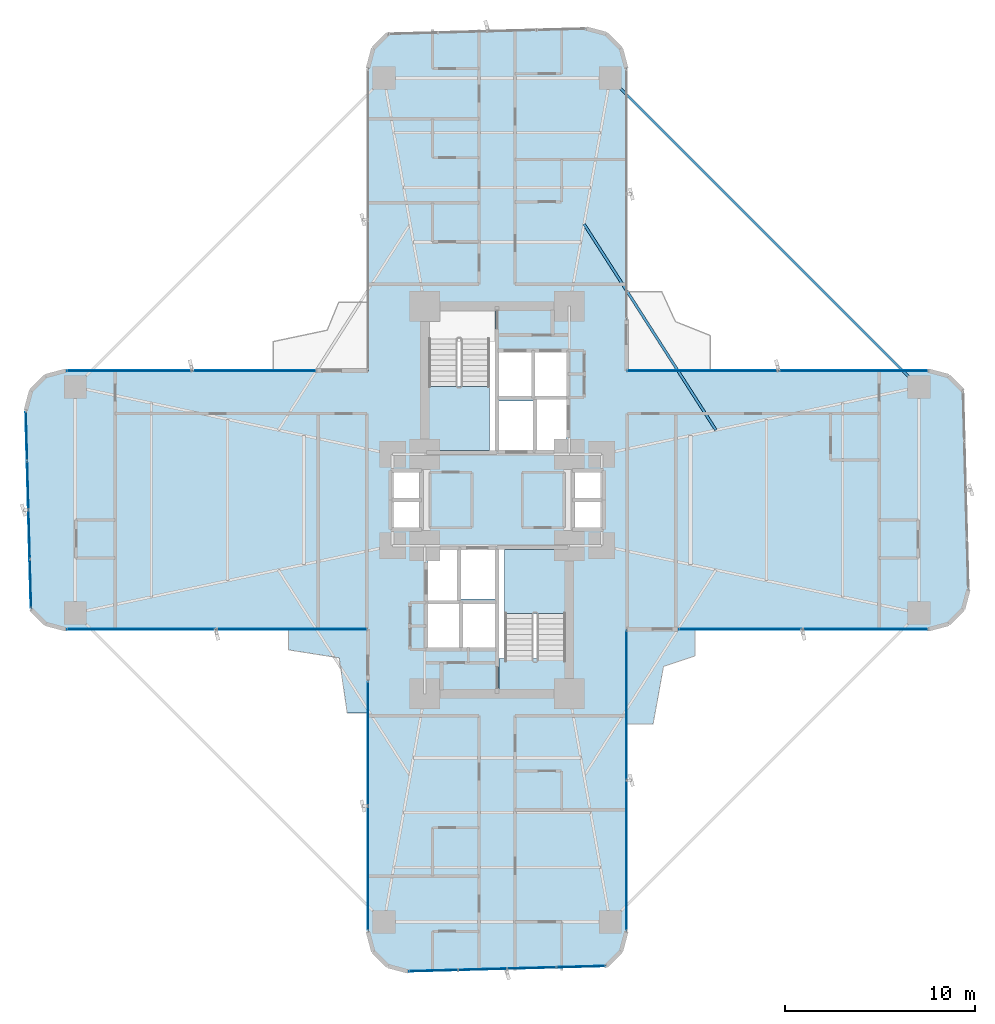
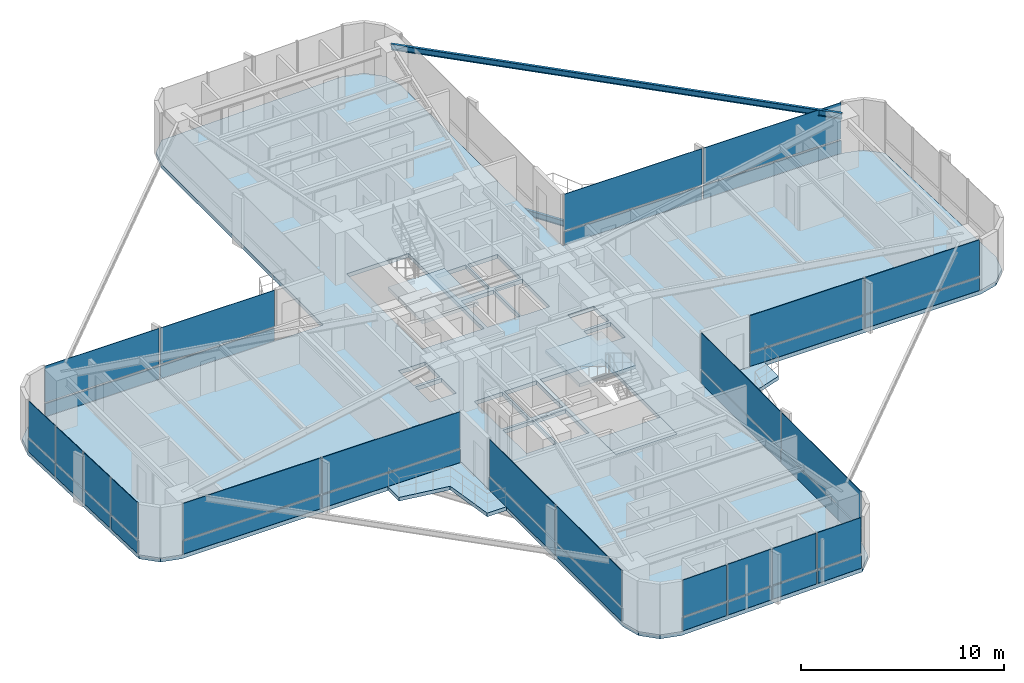
# One storey, part 20 of 26: 40 plates, 6 slabs, 2 beams, 10 elements without a shape of their own.
"""IFC4 building model written with IfcOpenShell, lengths in metres."""

import ifcopenshell
import ifcopenshell.guid

model = None  # the IFC model being written
_history = None  # IfcOwnerHistory: only IFC2X3 demands one
_inside = {}  # id of a spatial element -> (the spatial element, [elements in it])
_under = {}  # id of a project, library or spatial element -> (it, [spatial elements below it])
_declared = {}  # id of a project -> (the project, [libraries it declares])
_typed = {}  # id of a type object -> (the type object, [elements of that type])
_made_of = {}  # id of a material, layer set ... -> (it, [elements and type objects made of it])


def new_model(schema):
    """Start an empty IFC model of exactly this schema.

    Asked for "IFC4X3", IfcOpenShell would pick the latest addendum, in which some entities
    have other attributes; the version numbers below select the first issue.
    IFC2X3 requires an IfcOwnerHistory on every rooted entity: one is made here for all.
    """
    global model, _history
    if schema == "IFC4X3":
        model = ifcopenshell.file(schema_version=(4, 3, 0, 0))
    else:
        model = ifcopenshell.file(schema=schema)
    _inside.clear()
    _under.clear()
    _declared.clear()
    _typed.clear()
    _made_of.clear()
    _history = None
    if model.schema == "IFC2X3":
        org = make("IfcOrganization", Name="unknown")
        user = make(
            "IfcPersonAndOrganization",
            ThePerson=make("IfcPerson", FamilyName="unknown"),
            TheOrganization=org,
        )
        app = make(
            "IfcApplication",
            ApplicationDeveloper=org,
            Version="unknown",
            ApplicationFullName="unknown",
            ApplicationIdentifier="unknown",
        )
        _history = make(
            "IfcOwnerHistory",
            OwningUser=user,
            OwningApplication=app,
            ChangeAction="ADDED",
            CreationDate=0,
        )
    return model


def make(cls, **values):
    """One entity of the class cls with the attributes given. An attribute that is None is left unset."""
    return model.create_entity(
        cls, **{name: value for name, value in values.items() if value is not None}
    )


def rooted(cls, **values):
    """An entity with a GlobalId (a new one), such as an element, a storey or a relation."""
    return make(cls, GlobalId=ifcopenshell.guid.new(), OwnerHistory=_history, **values)


def si_unit(unit_type, name, prefix=None):
    """IfcSIUnit, for example si_unit("LENGTHUNIT", "METRE", prefix="MILLI")."""
    return make("IfcSIUnit", UnitType=unit_type, Prefix=prefix, Name=name)


def assignment(units):
    """IfcUnitAssignment: the units of a project."""
    return None if units is None else make("IfcUnitAssignment", Units=units)


def point(xyz):
    """IfcCartesianPoint."""
    return None if xyz is None else make("IfcCartesianPoint", Coordinates=xyz)


def direction(xyz):
    """IfcDirection."""
    return None if xyz is None else make("IfcDirection", DirectionRatios=xyz)


def frame(location, z_axis=None, x_axis=None):
    """IfcAxis2Placement3D, a coordinate frame: its origin and axes. An axis left out is left unset."""
    return make(
        "IfcAxis2Placement3D",
        Location=point(location),
        Axis=direction(z_axis),
        RefDirection=direction(x_axis),
    )


def frame_2d(location, x_axis=None):
    """IfcAxis2Placement2D, a coordinate frame in the plane: its origin and x axis."""
    return make(
        "IfcAxis2Placement2D", Location=point(location), RefDirection=direction(x_axis)
    )


def origin():
    """The frame at (0, 0, 0) with its axes left unset."""
    return frame((0.0, 0.0, 0.0))


def origin_2d():
    """The frame at (0, 0) in the plane with its x axis left unset."""
    return frame_2d((0.0, 0.0))


def place(relative_to, where):
    """IfcLocalPlacement: puts the frame where relative to a parent placement (None: the world)."""
    return make(
        "IfcLocalPlacement", PlacementRelTo=relative_to, RelativePlacement=where
    )


def context(
    kind, dimensions, precision=None, world=None, true_north=None, identifier=None
):
    """IfcGeometricRepresentationContext, for example the 3D "Model" context."""
    return make(
        "IfcGeometricRepresentationContext",
        ContextIdentifier=identifier,
        ContextType=kind,
        CoordinateSpaceDimension=dimensions,
        Precision=precision,
        WorldCoordinateSystem=world,
        TrueNorth=true_north,
    )


def subcontext(parent, identifier, kind, view, scale=None):
    """IfcGeometricRepresentationSubContext, for example "Body" below "Model"."""
    return make(
        "IfcGeometricRepresentationSubContext",
        ContextIdentifier=identifier,
        ContextType=kind,
        ParentContext=parent,
        TargetScale=scale,
        TargetView=view,
    )


def project(units=None, contexts=None):
    """IfcProject with its units and contexts."""
    return rooted(
        "IfcProject",
        Name="project",
        RepresentationContexts=contexts,
        UnitsInContext=assignment(units),
    )


def spatial(cls, under=None, at=None, **own):
    """A site, building, storey or space (cls), placed at a placement, below another one or the project."""
    s = rooted(cls, ObjectPlacement=at, **own)
    if under is not None:
        _under.setdefault(under.id(), (under, []))[1].append(s)
    return s


def polyline(points):
    """IfcPolyline through the points."""
    return make("IfcPolyline", Points=[point(p) for p in points])


def profile(cls, at=None, kind="AREA", **sizes):
    """A parametric profile (cls). Its sizes go by their IFC names, for example OverallWidth=200.0."""
    return make(cls, ProfileType=kind, Position=at, **sizes)


def rectangle(**sizes):
    """IfcRectangleProfileDef."""
    return profile("IfcRectangleProfileDef", **sizes)


def i_section(**sizes):
    """IfcIShapeProfileDef."""
    return profile("IfcIShapeProfileDef", **sizes)


def outline(outer, holes=None, kind="AREA"):
    """IfcArbitraryClosedProfileDef: a profile drawn as a closed curve; with holes, ...WithVoids."""
    if holes is None:
        return make("IfcArbitraryClosedProfileDef", ProfileType=kind, OuterCurve=outer)
    return make(
        "IfcArbitraryProfileDefWithVoids",
        ProfileType=kind,
        OuterCurve=outer,
        InnerCurves=holes,
    )


def extrude(swept, where, along, depth):
    """IfcExtrudedAreaSolid: the profile swept, set in the frame where, extruded along a direction by depth."""
    return make(
        "IfcExtrudedAreaSolid",
        SweptArea=swept,
        Position=where,
        ExtrudedDirection=direction(along),
        Depth=depth,
    )


def shape(context_of_items, identifier, shape_type, items):
    """IfcShapeRepresentation: the items that make up one representation, for example the "Body"."""
    return make(
        "IfcShapeRepresentation",
        ContextOfItems=context_of_items,
        RepresentationIdentifier=identifier,
        RepresentationType=shape_type,
        Items=items,
    )


def source(mapping_origin, context_of_items, identifier, shape_type, items):
    """IfcRepresentationMap: a shape defined once, which mapped items show again and again."""
    return make(
        "IfcRepresentationMap",
        MappingOrigin=mapping_origin,
        MappedRepresentation=shape(context_of_items, identifier, shape_type, items),
    )


def transform(
    local_origin,
    x_axis=None,
    y_axis=None,
    z_axis=None,
    scale=None,
    scale2=None,
    scale3=None,
    uniform=True,
):
    """IfcCartesianTransformationOperator3D, or its non-uniform kind. x_axis, y_axis, z_axis: its Axis1, 2, 3."""
    if uniform:
        return make(
            "IfcCartesianTransformationOperator3D",
            Axis1=direction(x_axis),
            Axis2=direction(y_axis),
            LocalOrigin=point(local_origin),
            Scale=scale,
            Axis3=direction(z_axis),
        )
    return make(
        "IfcCartesianTransformationOperator3DnonUniform",
        Axis1=direction(x_axis),
        Axis2=direction(y_axis),
        LocalOrigin=point(local_origin),
        Scale=scale,
        Axis3=direction(z_axis),
        Scale2=scale2,
        Scale3=scale3,
    )


def mapped(mapping_source, mapping_target):
    """IfcMappedItem: shows the shape of a source again, moved by a transform."""
    return make(
        "IfcMappedItem", MappingSource=mapping_source, MappingTarget=mapping_target
    )


def material(Name=None, Category=None):
    """IfcMaterial."""
    return make("IfcMaterial", Name=Name, Category=Category)


def layer(
    of_material, thickness, ventilated=None, Name=None, Category=None, Priority=None
):
    """IfcMaterialLayer: one layer of a wall or slab, of a material (None: an air gap)."""
    return make(
        "IfcMaterialLayer",
        Material=of_material,
        LayerThickness=thickness,
        IsVentilated=ventilated,
        Name=Name,
        Category=Category,
        Priority=Priority,
    )


def layer_set(layers, Name=None):
    """IfcMaterialLayerSet."""
    return make("IfcMaterialLayerSet", MaterialLayers=layers, LayerSetName=Name)


def material_profile(
    of_material, cross_section, Name=None, Category=None, Priority=None
):
    """IfcMaterialProfile: a cross section and its material."""
    return make(
        "IfcMaterialProfile",
        Name=Name,
        Material=of_material,
        Profile=cross_section,
        Priority=Priority,
        Category=Category,
    )


def profile_set(profiles, Name=None, composite=None):
    """IfcMaterialProfileSet."""
    return make(
        "IfcMaterialProfileSet",
        Name=Name,
        MaterialProfiles=profiles,
        CompositeProfile=composite,
    )


def made_of(thing, what):
    """Note that an element or type object is made of a material, layer set ...; save() writes the relation."""
    if what is not None:
        _made_of.setdefault(what.id(), (what, []))[1].append(thing)
    return thing


def type_object(cls, material=None, **own):
    """A type object (cls), such as IfcWallType, which elements share."""
    return made_of(rooted(cls, **own), material)


def element(
    cls,
    number,
    at=None,
    inside=None,
    cuts=None,
    type_object=None,
    material=None,
    context=None,
    identifier="Body",
    shape_type=None,
    held_by="IfcProductDefinitionShape",
    body=None,
    shapes=None,
    **own,
):
    """One element of the class cls, such as IfcWall. Its Tag is "e" and its number.

    at: its placement. inside: the storey or other place that contains it. cuts: it is an
    opening in that element (IfcRelVoidsElement). A single representation is given by context,
    identifier, shape_type and body (its items); several are given by shapes. held_by: the class
    of the entity that holds the representations. save() writes the other relations.
    """
    e = rooted(cls, Tag="e%d" % number, ObjectPlacement=at, **own)
    if body is not None:
        shapes = [shape(context, identifier, shape_type, body)]
    if shapes is not None:
        e.Representation = make(held_by, Representations=shapes)
    if inside is not None:
        _inside.setdefault(inside.id(), (inside, []))[1].append(e)
    if cuts is not None:
        rooted(
            "IfcRelVoidsElement", RelatingBuildingElement=cuts, RelatedOpeningElement=e
        )
    if type_object is not None:
        _typed.setdefault(type_object.id(), (type_object, []))[1].append(e)
    return made_of(e, material)


def aggregate(whole, parts):
    """IfcRelAggregates: a whole, such as a stair, and the parts it consists of."""
    return rooted("IfcRelAggregates", RelatingObject=whole, RelatedObjects=parts)


def save(model, path):
    """Write the relations noted so far, then the file.

    IfcRelAggregates (storeys below a building ...), IfcRelContainedInSpatialStructure (elements
    in a storey), IfcRelDefinesByType, IfcRelAssociatesMaterial and IfcRelDeclares: one each for
    every whole, place, type object, material and project.
    """
    for whole, parts in _under.values():
        aggregate(whole, parts)
    for where, things in _inside.values():
        rooted(
            "IfcRelContainedInSpatialStructure",
            RelatedElements=things,
            RelatingStructure=where,
        )
    for kind, things in _typed.values():
        rooted("IfcRelDefinesByType", RelatedObjects=things, RelatingType=kind)
    for what, things in _made_of.values():
        rooted("IfcRelAssociatesMaterial", RelatedObjects=things, RelatingMaterial=what)
    for by, libraries in _declared.values():
        rooted("IfcRelDeclares", RelatingContext=by, RelatedDefinitions=libraries)
    model.write(path)


model = new_model("IFC4")

# Units and contexts
model_context = context("Model", 3, precision=1e-05, world=origin(), true_north=direction((0.0, 1.0)))
body_context = subcontext(model_context, "Body", "Model", "MODEL_VIEW")
ifc_project = project(units=[si_unit("LENGTHUNIT", "METRE"), si_unit("AREAUNIT", "SQUARE_METRE"), si_unit("VOLUMEUNIT", "CUBIC_METRE"), si_unit("PLANEANGLEUNIT", "RADIAN"), si_unit("MASSUNIT", "GRAM", prefix="KILO")], contexts=[model_context])

# Site, building, storey
site_placement = place(None, origin())
site = spatial("IfcSite", under=ifc_project, at=site_placement, CompositionType="ELEMENT")
building_placement = place(site_placement, origin())
building = spatial("IfcBuilding", under=site, at=building_placement, Name="Sahyath Konkavel Grand Hotel", CompositionType="ELEMENT")
storey_placement = place(building_placement, frame((0.0, 0.0, 61.10009765625)))
storey = spatial("IfcBuildingStorey", under=building, at=storey_placement, Name="L16", CompositionType="ELEMENT", Elevation=61.10009765625)

# Beams
ifc_material_1 = material(Name="Steel E350", Category="steel")
ifc_material_profile_1 = material_profile(ifc_material_1, i_section(OverallWidth=0.139892578125, OverallDepth=0.35009765625, WebThickness=0.008056640625, FlangeThickness=0.01416015625, FilletRadius=0.013916015625, at=origin_2d()), Name="ISMB 350")
ifc_profile_set_1 = profile_set([ifc_material_profile_1], Name="Steel E350")
beam_type_1 = type_object("IfcBeamType", Name="BM-ISMB350", PredefinedType="BEAM", material=ifc_profile_set_1)
shared_shape_1 = source(origin(), body_context, "Body", "SweptSolid", [
    extrude(i_section(OverallWidth=0.139892578125, OverallDepth=0.35009765625, WebThickness=0.008056640625, FlangeThickness=0.01416015625, FilletRadius=0.013916015625, at=origin_2d()), origin(), (0.0, 0.0, 1.0), 22.98095703125),
])
beam_1_placement = place(storey_placement, frame((22.199951171875, 5.949951171875, 2.934814453125), z_axis=(-0.707106781187, 0.707106781187, 0.0), x_axis=(-0.707106781187, -0.707106781187, 0.0)))
element("IfcBeam", 1, at=beam_1_placement, inside=storey, type_object=beam_type_1, Name="L16 Re-Entrant Tie Beam NE", PredefinedType="BEAM", context=body_context, shape_type="MappedRepresentation", body=[
    mapped(shared_shape_1, transform((0.0, 0.0, 0.0), scale=1.0)),
])
ifc_material_profile_2 = material_profile(ifc_material_1, i_section(OverallWidth=0.139892578125, OverallDepth=0.35009765625, WebThickness=0.008056640625, FlangeThickness=0.01416015625, FilletRadius=0.013916015625, at=origin_2d()), Name="ISMB 350")
ifc_profile_set_2 = profile_set([ifc_material_profile_2], Name="Steel E350")
beam_type_2 = type_object("IfcBeamType", Name="BM-BALC-CANT", PredefinedType="BEAM", material=ifc_profile_set_2)
shared_shape_2 = source(origin(), body_context, "Body", "SweptSolid", [
    extrude(i_section(OverallWidth=0.139892578125, OverallDepth=0.35009765625, WebThickness=0.008056640625, FlangeThickness=0.01416015625, FilletRadius=0.013916015625, at=origin_2d()), origin(), (0.0, 0.0, 1.0), 12.871826171875),
])
beam_2_placement = place(storey_placement, frame((11.511962890625, 3.677978515625, -0.4150390625), z_axis=(-0.539003102535, 0.842303778608, 0.0), x_axis=(-0.842303778608, -0.539003102535, 0.0)))
element("IfcBeam", 2, at=beam_2_placement, inside=storey, type_object=beam_type_2, Name="L16 Balcony Cantilever Support Beam NE", PredefinedType="BEAM", context=body_context, shape_type="MappedRepresentation", body=[
    mapped(shared_shape_2, transform((0.0, 0.0, 0.0), scale=1.0)),
])

# Slabs
ifc_material_2 = material(Name="Concrete C40/50", Category="concrete")
ifc_layer_1 = layer(ifc_material_2, 0.239990234375)
ifc_layer_set_1 = layer_set([ifc_layer_1], Name="Concrete C40/50")
slab_type_1 = type_object("IfcSlabType", Name="SLB-240", PredefinedType="FLOOR", material=ifc_layer_set_1)
slab_1_placement = place(storey_placement, frame((0.0, 0.0, -0.239990234375)))
element("IfcSlab", 3, at=slab_1_placement, inside=storey, type_object=slab_type_1, Name="L16 Structural Floor Slab", PredefinedType="FLOOR", context=body_context, shape_type="SweptSolid", body=[
    extrude(outline(polyline([(6.800048828125, -6.800048828125), (22.699951171875, -6.800048828125), (23.75, -6.518798828125), (24.518798828125, -5.75), (24.800048828125, -4.699951171875), (24.518798828125, 5.75), (23.75, 6.518798828125), (22.699951171875, 6.800048828125), (6.800048828125, 6.800048828125), (6.800048828125, 22.699951171875), (6.518798828125, 23.75), (5.75, 24.518798828125), (4.699951171875, 24.800048828125), (-5.75, 24.518798828125), (-6.518798828125, 23.75), (-6.800048828125, 22.699951171875), (-6.800048828125, 6.800048828125), (-22.699951171875, 6.800048828125), (-23.75, 6.518798828125), (-24.518798828125, 5.75), (-24.800048828125, 4.699951171875), (-24.518798828125, -5.75), (-23.75, -6.518798828125), (-22.699951171875, -6.800048828125), (-6.800048828125, -6.800048828125), (-6.800048828125, -22.699951171875), (-6.518798828125, -23.75), (-5.75, -24.518798828125), (-4.699951171875, -24.800048828125), (5.75, -24.518798828125), (6.518798828125, -23.75), (6.800048828125, -22.699951171875), (6.800048828125, -6.800048828125)]), holes=[polyline([(-3.6201171875, 2.580078125), (-0.10009765625, 2.580078125), (-0.10009765625, 10.02001953125), (-3.6201171875, 10.02001953125), (-3.6201171875, 2.580078125)]), polyline([(0.10009765625, -10.02001953125), (3.6201171875, -10.02001953125), (3.6201171875, -2.580078125), (0.10009765625, -2.580078125), (0.10009765625, -10.02001953125)]), polyline([(0.10009765625, 2.60009765625), (1.949951171875, 2.60009765625), (1.949951171875, 5.199951171875), (0.10009765625, 5.199951171875), (0.10009765625, 2.60009765625)]), polyline([(-1.949951171875, -5.199951171875), (-0.10009765625, -5.199951171875), (-0.10009765625, -2.60009765625), (-1.949951171875, -2.60009765625), (-1.949951171875, -5.199951171875)]), polyline([(2.050048828125, 2.60009765625), (3.64990234375, 2.60009765625), (3.64990234375, 5.300048828125), (2.050048828125, 5.300048828125), (2.050048828125, 2.60009765625)]), polyline([(-3.64990234375, -5.300048828125), (-2.050048828125, -5.300048828125), (-2.050048828125, -2.60009765625), (-3.64990234375, -2.60009765625), (-3.64990234375, -5.300048828125)]), polyline([(0.10009765625, 5.449951171875), (1.85009765625, 5.449951171875), (1.85009765625, 7.75), (0.10009765625, 7.75), (0.10009765625, 5.449951171875)]), polyline([(1.949951171875, 5.449951171875), (3.64990234375, 5.449951171875), (3.64990234375, 7.75), (1.949951171875, 7.75), (1.949951171875, 5.449951171875)]), polyline([(-3.64990234375, -7.75), (-1.949951171875, -7.75), (-1.949951171875, -5.449951171875), (-3.64990234375, -5.449951171875), (-3.64990234375, -7.75)]), polyline([(-1.85009765625, -7.75), (-0.10009765625, -7.75), (-0.10009765625, -5.449951171875), (-1.85009765625, -5.449951171875), (-1.85009765625, -7.75)]), polyline([(4.050048828125, 0.080078125), (5.550048828125, 0.080078125), (5.550048828125, 1.5400390625), (4.050048828125, 1.5400390625), (4.050048828125, 0.080078125)]), polyline([(4.050048828125, -1.5400390625), (5.550048828125, -1.5400390625), (5.550048828125, -0.080078125), (4.050048828125, -0.080078125), (4.050048828125, -1.5400390625)]), polyline([(-5.550048828125, 0.080078125), (-4.050048828125, 0.080078125), (-4.050048828125, 1.5400390625), (-5.550048828125, 1.5400390625), (-5.550048828125, 0.080078125)]), polyline([(-5.550048828125, -1.5400390625), (-4.050048828125, -1.5400390625), (-4.050048828125, -0.080078125), (-5.550048828125, -0.080078125), (-5.550048828125, -1.5400390625)])]), origin(), (0.0, 0.0, 1.0), 0.239990234375),
])
ifc_layer_2 = layer(ifc_material_2, 0.219970703125)
ifc_layer_set_2 = layer_set([ifc_layer_2], Name="Concrete C40/50")
slab_type_2 = type_object("IfcSlabType", Name="SLB-BALCONY-220", PredefinedType="FLOOR", material=ifc_layer_set_2)
slab_2_placement = place(storey_placement, frame((0.0, 0.0, -0.22021484375)))
element("IfcSlab", 4, at=slab_2_placement, inside=storey, type_object=slab_type_2, Name="L16 Winter-Garden Balcony SW", PredefinedType="FLOOR", context=body_context, shape_type="SweptSolid", body=[
    extrude(outline(polyline([(-6.800048828125, -6.800048828125), (-10.97998046875, -6.800048828125), (-10.97998046875, -7.8857421875), (-8.30810546875, -8.30810546875), (-7.8857421875, -11.219970703125), (-6.800048828125, -11.219970703125), (-6.800048828125, -6.800048828125)])), origin(), (0.0, 0.0, 1.0), 0.22021484375),
])
slab_3_placement = place(storey_placement, frame((0.0, 0.0, -0.22021484375)))
element("IfcSlab", 5, at=slab_3_placement, inside=storey, type_object=slab_type_2, Name="L16 Winter-Garden Balcony SE", PredefinedType="FLOOR", context=body_context, shape_type="SweptSolid", body=[
    extrude(outline(polyline([(6.800048828125, -6.800048828125), (6.800048828125, -11.7900390625), (8.20751953125, -11.7900390625), (8.7548828125, -8.7548828125), (10.409912109375, -8.20751953125), (10.409912109375, -6.800048828125), (6.800048828125, -6.800048828125)])), origin(), (0.0, 0.0, 1.0), 0.22021484375),
])

# Stair, slab
stair_type = type_object("IfcStairType", Name="STR-ST16-335", PredefinedType="HALF_TURN_STAIR", material=ifc_material_2)
stair_1_placement = place(storey_placement, origin())
stair_1 = element("IfcStair", 6, at=stair_1_placement, inside=storey, type_object=stair_type, Name="L16 North Core Smokeproof Exit Stair ST-1", PredefinedType="HALF_TURN_STAIR")
ifc_layer_3 = layer(ifc_material_2, 0.199951171875)
ifc_layer_set_3 = layer_set([ifc_layer_3], Name="Concrete C40/50")
slab_type_3 = type_object("IfcSlabType", Name="SLB-STAIR-LND", PredefinedType="LANDING", material=ifc_layer_set_3)
slab_4_placement = place(storey_placement, frame((0.0, 0.0, 1.474853515625)))
slab_4 = element("IfcSlab", 7, at=slab_4_placement, type_object=slab_type_3, Name="ST-1 landing 1", PredefinedType="LANDING", context=body_context, shape_type="SweptSolid", body=[
    extrude(outline(polyline([(-3.60009765625, 5.9599609375), (-3.60009765625, 2.60009765625), (-0.39990234375, 2.60009765625), (-0.39990234375, 5.9599609375), (-3.60009765625, 5.9599609375)])), origin(), (0.0, 0.0, 1.0), 0.199951171875),
])
aggregate(stair_1, [slab_4])

stair_2_placement = place(storey_placement, origin())
stair_2 = element("IfcStair", 8, at=stair_2_placement, inside=storey, type_object=stair_type, Name="L16 South Core Smokeproof Exit Stair ST-2", PredefinedType="HALF_TURN_STAIR")
slab_5_placement = place(storey_placement, frame((0.0, 0.0, 1.474853515625)))
slab_5 = element("IfcSlab", 9, at=slab_5_placement, type_object=slab_type_3, Name="ST-2 landing 1", PredefinedType="LANDING", context=body_context, shape_type="SweptSolid", body=[
    extrude(outline(polyline([(3.60009765625, -5.9599609375), (3.60009765625, -2.60009765625), (0.39990234375, -2.60009765625), (0.39990234375, -5.9599609375), (3.60009765625, -5.9599609375)])), origin(), (0.0, 0.0, 1.0), 0.199951171875),
])
aggregate(stair_2, [slab_5])

# Slab
slab_6_placement = place(storey_placement, frame((0.0, 0.0, -0.2001953125)))
element("IfcSlab", 10, at=slab_6_placement, inside=storey, type_object=slab_type_3, Name="L16 Stair ST-2 Floor Landing Slab", PredefinedType="LANDING", context=body_context, shape_type="SweptSolid", body=[
    extrude(outline(polyline([(0.10009765625, -10.02001953125), (3.6201171875, -10.02001953125), (3.6201171875, -8.35009765625), (0.10009765625, -8.35009765625), (0.10009765625, -10.02001953125)])), origin(), (0.0, 0.0, 1.0), 0.2001953125),
])

# Curtain wall, plates
ifc_material_3 = material(Name="Anodised Bronze Aluminium & Low-E Glazing", Category="aluminium")
curtain_wall_type = type_object("IfcCurtainWallType", Name="CW-ZONE1", PredefinedType="NOTDEFINED", material=ifc_material_3)
curtain_wall_1_placement = place(storey_placement, origin())
curtain_wall_1 = element("IfcCurtainWall", 11, at=curtain_wall_1_placement, inside=storey, type_object=curtain_wall_type, Name="L16 Unitised Curtain Wall F7", PredefinedType="NOTDEFINED")
ifc_material_4 = material(Name="Warm Buff Sandstone Cladding", Category="masonry")
ifc_layer_4 = layer(ifc_material_4, 0.074951171875)
ifc_layer_set_4 = layer_set([ifc_layer_4], Name="Warm Buff Sandstone Cladding")
plate_type_1 = type_object("IfcPlateType", Name="PNL-SPANDREL-STONE", PredefinedType="SHEET", material=ifc_layer_set_4)
shared_shape_3 = source(origin(), body_context, "Body", "SweptSolid", [
    extrude(rectangle(XDim=7.830078125, YDim=0.074951171875, at=origin_2d()), origin(), (0.0, 0.0, 1.0), 0.77001953125),
])
plate_1_placement = place(storey_placement, frame((18.705078125, 6.800048828125, 0.039794921875), z_axis=(0.0, 0.0, 1.0), x_axis=(-1.0, 0.0, 0.0)))
plate_1 = element("IfcPlate", 12, at=plate_1_placement, type_object=plate_type_1, Name="L16 Sandstone Relief Spandrel Panel F7-0", PredefinedType="SHEET", context=body_context, shape_type="MappedRepresentation", body=[
    mapped(shared_shape_3, transform((0.0, 0.0, 0.0), scale=1.0)),
])
plate_2_placement = place(storey_placement, frame((10.794921875, 6.800048828125, 0.039794921875), z_axis=(0.0, 0.0, 1.0), x_axis=(-1.0, 0.0, 0.0)))
plate_2 = element("IfcPlate", 13, at=plate_2_placement, type_object=plate_type_1, Name="L16 Sandstone Relief Spandrel Panel F7-1", PredefinedType="SHEET", context=body_context, shape_type="MappedRepresentation", body=[
    mapped(shared_shape_3, transform((0.0, 0.0, 0.0), scale=1.0)),
])

curtain_wall_2_placement = place(storey_placement, origin())
curtain_wall_2 = element("IfcCurtainWall", 14, at=curtain_wall_2_placement, inside=storey, type_object=curtain_wall_type, Name="L16 Unitised Curtain Wall F23", PredefinedType="NOTDEFINED")
plate_3_placement = place(storey_placement, frame((-18.705078125, -6.800048828125, 0.039794921875), z_axis=(0.0, 0.0, 1.0), x_axis=(1.0, 0.0, 0.0)))
plate_3 = element("IfcPlate", 15, at=plate_3_placement, type_object=plate_type_1, Name="L16 Sandstone Relief Spandrel Panel F23-0", PredefinedType="SHEET", context=body_context, shape_type="MappedRepresentation", body=[
    mapped(shared_shape_3, transform((0.0, 0.0, 0.0), scale=1.0)),
])
plate_4_placement = place(storey_placement, frame((-10.794921875, -6.800048828125, 0.039794921875), z_axis=(0.0, 0.0, 1.0), x_axis=(1.0, 0.0, 0.0)))
plate_4 = element("IfcPlate", 16, at=plate_4_placement, type_object=plate_type_1, Name="L16 Sandstone Relief Spandrel Panel F23-1", PredefinedType="SHEET", context=body_context, shape_type="MappedRepresentation", body=[
    mapped(shared_shape_3, transform((0.0, 0.0, 0.0), scale=1.0)),
])

curtain_wall_3_placement = place(storey_placement, origin())
curtain_wall_3 = element("IfcCurtainWall", 17, at=curtain_wall_3_placement, inside=storey, type_object=curtain_wall_type, Name="L16 Unitised Curtain Wall F31", PredefinedType="NOTDEFINED")
plate_5_placement = place(storey_placement, frame((6.800048828125, -18.705078125, 0.039794921875), z_axis=(0.0, 0.0, 1.0), x_axis=(0.0, 1.0, 0.0)))
plate_5 = element("IfcPlate", 18, at=plate_5_placement, type_object=plate_type_1, Name="L16 Sandstone Relief Spandrel Panel F31-0", PredefinedType="SHEET", context=body_context, shape_type="MappedRepresentation", body=[
    mapped(shared_shape_3, transform((0.0, 0.0, 0.0), scale=1.0)),
])
plate_6_placement = place(storey_placement, frame((6.800048828125, -10.794921875, 0.039794921875), z_axis=(0.0, 0.0, 1.0), x_axis=(0.0, 1.0, 0.0)))
plate_6 = element("IfcPlate", 19, at=plate_6_placement, type_object=plate_type_1, Name="L16 Sandstone Relief Spandrel Panel F31-1", PredefinedType="SHEET", context=body_context, shape_type="MappedRepresentation", body=[
    mapped(shared_shape_3, transform((0.0, 0.0, 0.0), scale=1.0)),
])

# Plate
ifc_material_5 = material(Name="Low-E Solar Control Double Glazing", Category="glass")
ifc_layer_5 = layer(ifc_material_5, 0.035888671875)
ifc_layer_set_5 = layer_set([ifc_layer_5], Name="Low-E Solar Control Double Glazing")
plate_type_2 = type_object("IfcPlateType", Name="PNL-VISION-LOWE", PredefinedType="CURTAIN_PANEL", material=ifc_layer_set_5)
shared_shape_4 = source(origin(), body_context, "Body", "SweptSolid", [
    extrude(rectangle(XDim=7.830078125, YDim=0.035888671875, at=origin_2d()), origin(), (0.0, 0.0, 1.0), 2.179931640625),
])
plate_7_placement = place(storey_placement, frame((18.705078125, 6.800048828125, 0.89013671875), z_axis=(0.0, 0.0, 1.0), x_axis=(-1.0, 0.0, 0.0)))
plate_7 = element("IfcPlate", 20, at=plate_7_placement, type_object=plate_type_2, Name="L16 Low-E Vision Glazing Panel F7-0", PredefinedType="CURTAIN_PANEL", context=body_context, shape_type="MappedRepresentation", body=[
    mapped(shared_shape_4, transform((0.0, 0.0, 0.0), scale=1.0)),
])

plate_8_placement = place(storey_placement, frame((10.794921875, 6.800048828125, 0.89013671875), z_axis=(0.0, 0.0, 1.0), x_axis=(-1.0, 0.0, 0.0)))
plate_8 = element("IfcPlate", 21, at=plate_8_placement, type_object=plate_type_2, Name="L16 Low-E Vision Glazing Panel F7-1", PredefinedType="CURTAIN_PANEL", context=body_context, shape_type="MappedRepresentation", body=[
    mapped(shared_shape_4, transform((0.0, 0.0, 0.0), scale=1.0)),
])

aggregate(curtain_wall_1, [plate_1, plate_7, plate_2, plate_8])

plate_9_placement = place(storey_placement, frame((-18.705078125, -6.800048828125, 0.89013671875), z_axis=(0.0, 0.0, 1.0), x_axis=(1.0, 0.0, 0.0)))
plate_9 = element("IfcPlate", 22, at=plate_9_placement, type_object=plate_type_2, Name="L16 Low-E Vision Glazing Panel F23-0", PredefinedType="CURTAIN_PANEL", context=body_context, shape_type="MappedRepresentation", body=[
    mapped(shared_shape_4, transform((0.0, 0.0, 0.0), scale=1.0)),
])

plate_10_placement = place(storey_placement, frame((-10.794921875, -6.800048828125, 0.89013671875), z_axis=(0.0, 0.0, 1.0), x_axis=(1.0, 0.0, 0.0)))
plate_10 = element("IfcPlate", 23, at=plate_10_placement, type_object=plate_type_2, Name="L16 Low-E Vision Glazing Panel F23-1", PredefinedType="CURTAIN_PANEL", context=body_context, shape_type="MappedRepresentation", body=[
    mapped(shared_shape_4, transform((0.0, 0.0, 0.0), scale=1.0)),
])

aggregate(curtain_wall_2, [plate_3, plate_9, plate_4, plate_10])

plate_11_placement = place(storey_placement, frame((6.800048828125, -18.705078125, 0.89013671875), z_axis=(0.0, 0.0, 1.0), x_axis=(0.0, 1.0, 0.0)))
plate_11 = element("IfcPlate", 24, at=plate_11_placement, type_object=plate_type_2, Name="L16 Low-E Vision Glazing Panel F31-0", PredefinedType="CURTAIN_PANEL", context=body_context, shape_type="MappedRepresentation", body=[
    mapped(shared_shape_4, transform((0.0, 0.0, 0.0), scale=1.0)),
])

plate_12_placement = place(storey_placement, frame((6.800048828125, -10.794921875, 0.89013671875), z_axis=(0.0, 0.0, 1.0), x_axis=(0.0, 1.0, 0.0)))
plate_12 = element("IfcPlate", 25, at=plate_12_placement, type_object=plate_type_2, Name="L16 Low-E Vision Glazing Panel F31-1", PredefinedType="CURTAIN_PANEL", context=body_context, shape_type="MappedRepresentation", body=[
    mapped(shared_shape_4, transform((0.0, 0.0, 0.0), scale=1.0)),
])

aggregate(curtain_wall_3, [plate_5, plate_11, plate_6, plate_12])

# Curtain wall, plates
curtain_wall_4_placement = place(storey_placement, origin())
curtain_wall_4 = element("IfcCurtainWall", 26, at=curtain_wall_4_placement, inside=storey, type_object=curtain_wall_type, Name="L16 Unitised Curtain Wall F20", PredefinedType="NOTDEFINED")
shared_shape_5 = source(origin(), body_context, "Body", "SweptSolid", [
    extrude(rectangle(XDim=2.513427734375, YDim=0.074951171875, at=origin_2d()), origin(), (0.0, 0.0, 1.0), 0.77001953125),
])
plate_13_placement = place(storey_placement, frame((-24.763916015625, 3.36376953125, 0.039794921875), z_axis=(0.0, 0.0, 1.0), x_axis=(0.026909728301, -0.999637867691, 0.0)))
plate_13 = element("IfcPlate", 27, at=plate_13_placement, type_object=plate_type_1, Name="L16 Sandstone Relief Spandrel Panel F20-0", PredefinedType="SHEET", context=body_context, shape_type="MappedRepresentation", body=[
    mapped(shared_shape_5, transform((0.0, 0.0, 0.0), scale=1.0)),
])
plate_14_placement = place(storey_placement, frame((-24.694091796875, 0.771240234375, 0.039794921875), z_axis=(0.0, 0.0, 1.0), x_axis=(0.026909728301, -0.999637867691, 0.0)))
plate_14 = element("IfcPlate", 28, at=plate_14_placement, type_object=plate_type_1, Name="L16 Sandstone Relief Spandrel Panel F20-1", PredefinedType="SHEET", context=body_context, shape_type="MappedRepresentation", body=[
    mapped(shared_shape_5, transform((0.0, 0.0, 0.0), scale=1.0)),
])
plate_15_placement = place(storey_placement, frame((-24.62451171875, -1.8212890625, 0.039794921875), z_axis=(0.0, 0.0, 1.0), x_axis=(0.026909728301, -0.999637867691, 0.0)))
plate_15 = element("IfcPlate", 29, at=plate_15_placement, type_object=plate_type_1, Name="L16 Sandstone Relief Spandrel Panel F20-2", PredefinedType="SHEET", context=body_context, shape_type="MappedRepresentation", body=[
    mapped(shared_shape_5, transform((0.0, 0.0, 0.0), scale=1.0)),
])
plate_16_placement = place(storey_placement, frame((-24.5546875, -4.413818359375, 0.039794921875), z_axis=(0.0, 0.0, 1.0), x_axis=(0.026909728301, -0.999637867691, 0.0)))
plate_16 = element("IfcPlate", 30, at=plate_16_placement, type_object=plate_type_1, Name="L16 Sandstone Relief Spandrel Panel F20-3", PredefinedType="SHEET", context=body_context, shape_type="MappedRepresentation", body=[
    mapped(shared_shape_5, transform((0.0, 0.0, 0.0), scale=1.0)),
])

curtain_wall_5_placement = place(storey_placement, origin())
curtain_wall_5 = element("IfcCurtainWall", 31, at=curtain_wall_5_placement, inside=storey, type_object=curtain_wall_type, Name="L16 Unitised Curtain Wall F28", PredefinedType="NOTDEFINED")
plate_17_placement = place(storey_placement, frame((-3.36376953125, -24.763916015625, 0.039794921875), z_axis=(0.0, 0.0, 1.0), x_axis=(0.999637867691, 0.026909728301, 0.0)))
plate_17 = element("IfcPlate", 32, at=plate_17_placement, type_object=plate_type_1, Name="L16 Sandstone Relief Spandrel Panel F28-0", PredefinedType="SHEET", context=body_context, shape_type="MappedRepresentation", body=[
    mapped(shared_shape_5, transform((0.0, 0.0, 0.0), scale=1.0)),
])
plate_18_placement = place(storey_placement, frame((-0.771240234375, -24.694091796875, 0.039794921875), z_axis=(0.0, 0.0, 1.0), x_axis=(0.999637867691, 0.026909728301, 0.0)))
plate_18 = element("IfcPlate", 33, at=plate_18_placement, type_object=plate_type_1, Name="L16 Sandstone Relief Spandrel Panel F28-1", PredefinedType="SHEET", context=body_context, shape_type="MappedRepresentation", body=[
    mapped(shared_shape_5, transform((0.0, 0.0, 0.0), scale=1.0)),
])
plate_19_placement = place(storey_placement, frame((1.8212890625, -24.62451171875, 0.039794921875), z_axis=(0.0, 0.0, 1.0), x_axis=(0.999637867691, 0.026909728301, 0.0)))
plate_19 = element("IfcPlate", 34, at=plate_19_placement, type_object=plate_type_1, Name="L16 Sandstone Relief Spandrel Panel F28-2", PredefinedType="SHEET", context=body_context, shape_type="MappedRepresentation", body=[
    mapped(shared_shape_5, transform((0.0, 0.0, 0.0), scale=1.0)),
])
plate_20_placement = place(storey_placement, frame((4.413818359375, -24.5546875, 0.039794921875), z_axis=(0.0, 0.0, 1.0), x_axis=(0.999637867691, 0.026909728301, 0.0)))
plate_20 = element("IfcPlate", 35, at=plate_20_placement, type_object=plate_type_1, Name="L16 Sandstone Relief Spandrel Panel F28-3", PredefinedType="SHEET", context=body_context, shape_type="MappedRepresentation", body=[
    mapped(shared_shape_5, transform((0.0, 0.0, 0.0), scale=1.0)),
])

# Plate
shared_shape_6 = source(origin(), body_context, "Body", "SweptSolid", [
    extrude(rectangle(XDim=2.513427734375, YDim=0.035888671875, at=origin_2d()), origin(), (0.0, 0.0, 1.0), 2.179931640625),
])
plate_21_placement = place(storey_placement, frame((-24.763916015625, 3.36376953125, 0.89013671875), z_axis=(0.0, 0.0, 1.0), x_axis=(0.026909728301, -0.999637867691, 0.0)))
plate_21 = element("IfcPlate", 36, at=plate_21_placement, type_object=plate_type_2, Name="L16 Low-E Vision Glazing Panel F20-0", PredefinedType="CURTAIN_PANEL", context=body_context, shape_type="MappedRepresentation", body=[
    mapped(shared_shape_6, transform((0.0, 0.0, 0.0), scale=1.0)),
])

plate_22_placement = place(storey_placement, frame((-24.694091796875, 0.771240234375, 0.89013671875), z_axis=(0.0, 0.0, 1.0), x_axis=(0.026909728301, -0.999637867691, 0.0)))
plate_22 = element("IfcPlate", 37, at=plate_22_placement, type_object=plate_type_2, Name="L16 Low-E Vision Glazing Panel F20-1", PredefinedType="CURTAIN_PANEL", context=body_context, shape_type="MappedRepresentation", body=[
    mapped(shared_shape_6, transform((0.0, 0.0, 0.0), scale=1.0)),
])

plate_23_placement = place(storey_placement, frame((-24.62451171875, -1.8212890625, 0.89013671875), z_axis=(0.0, 0.0, 1.0), x_axis=(0.026909728301, -0.999637867691, 0.0)))
plate_23 = element("IfcPlate", 38, at=plate_23_placement, type_object=plate_type_2, Name="L16 Low-E Vision Glazing Panel F20-2", PredefinedType="CURTAIN_PANEL", context=body_context, shape_type="MappedRepresentation", body=[
    mapped(shared_shape_6, transform((0.0, 0.0, 0.0), scale=1.0)),
])

plate_24_placement = place(storey_placement, frame((-24.5546875, -4.413818359375, 0.89013671875), z_axis=(0.0, 0.0, 1.0), x_axis=(0.026909728301, -0.999637867691, 0.0)))
plate_24 = element("IfcPlate", 39, at=plate_24_placement, type_object=plate_type_2, Name="L16 Low-E Vision Glazing Panel F20-3", PredefinedType="CURTAIN_PANEL", context=body_context, shape_type="MappedRepresentation", body=[
    mapped(shared_shape_6, transform((0.0, 0.0, 0.0), scale=1.0)),
])

aggregate(curtain_wall_4, [plate_13, plate_21, plate_14, plate_22, plate_15, plate_23, plate_16, plate_24])

plate_25_placement = place(storey_placement, frame((-3.36376953125, -24.763916015625, 0.89013671875), z_axis=(0.0, 0.0, 1.0), x_axis=(0.999637867691, 0.026909728301, 0.0)))
plate_25 = element("IfcPlate", 40, at=plate_25_placement, type_object=plate_type_2, Name="L16 Low-E Vision Glazing Panel F28-0", PredefinedType="CURTAIN_PANEL", context=body_context, shape_type="MappedRepresentation", body=[
    mapped(shared_shape_6, transform((0.0, 0.0, 0.0), scale=1.0)),
])

plate_26_placement = place(storey_placement, frame((-0.771240234375, -24.694091796875, 0.89013671875), z_axis=(0.0, 0.0, 1.0), x_axis=(0.999637867691, 0.026909728301, 0.0)))
plate_26 = element("IfcPlate", 41, at=plate_26_placement, type_object=plate_type_2, Name="L16 Low-E Vision Glazing Panel F28-1", PredefinedType="CURTAIN_PANEL", context=body_context, shape_type="MappedRepresentation", body=[
    mapped(shared_shape_6, transform((0.0, 0.0, 0.0), scale=1.0)),
])

plate_27_placement = place(storey_placement, frame((1.8212890625, -24.62451171875, 0.89013671875), z_axis=(0.0, 0.0, 1.0), x_axis=(0.999637867691, 0.026909728301, 0.0)))
plate_27 = element("IfcPlate", 42, at=plate_27_placement, type_object=plate_type_2, Name="L16 Low-E Vision Glazing Panel F28-2", PredefinedType="CURTAIN_PANEL", context=body_context, shape_type="MappedRepresentation", body=[
    mapped(shared_shape_6, transform((0.0, 0.0, 0.0), scale=1.0)),
])

plate_28_placement = place(storey_placement, frame((4.413818359375, -24.5546875, 0.89013671875), z_axis=(0.0, 0.0, 1.0), x_axis=(0.999637867691, 0.026909728301, 0.0)))
plate_28 = element("IfcPlate", 43, at=plate_28_placement, type_object=plate_type_2, Name="L16 Low-E Vision Glazing Panel F28-3", PredefinedType="CURTAIN_PANEL", context=body_context, shape_type="MappedRepresentation", body=[
    mapped(shared_shape_6, transform((0.0, 0.0, 0.0), scale=1.0)),
])

aggregate(curtain_wall_5, [plate_17, plate_25, plate_18, plate_26, plate_19, plate_27, plate_20, plate_28])

# Curtain wall, plates
curtain_wall_6_placement = place(storey_placement, origin())
curtain_wall_6 = element("IfcCurtainWall", 44, at=curtain_wall_6_placement, inside=storey, type_object=curtain_wall_type, Name="L16 Unitised Curtain Wall F0", PredefinedType="NOTDEFINED")
shared_shape_7 = source(origin(), body_context, "Body", "SweptSolid", [
    extrude(rectangle(XDim=6.47998046875, YDim=0.074951171875, at=origin_2d()), origin(), (0.0, 0.0, 1.0), 0.77001953125),
])
plate_29_placement = place(storey_placement, frame((12.820068359375, -6.800048828125, 0.039794921875), z_axis=(0.0, 0.0, 1.0), x_axis=(1.0, 0.0, 0.0)))
plate_29 = element("IfcPlate", 45, at=plate_29_placement, type_object=plate_type_1, Name="L16 Sandstone Relief Spandrel Panel F0-0", PredefinedType="SHEET", context=body_context, shape_type="MappedRepresentation", body=[
    mapped(shared_shape_7, transform((0.0, 0.0, 0.0), scale=1.0)),
])
plate_30_placement = place(storey_placement, frame((19.3798828125, -6.800048828125, 0.039794921875), z_axis=(0.0, 0.0, 1.0), x_axis=(1.0, 0.0, 0.0)))
plate_30 = element("IfcPlate", 46, at=plate_30_placement, type_object=plate_type_1, Name="L16 Sandstone Relief Spandrel Panel F0-1", PredefinedType="SHEET", context=body_context, shape_type="MappedRepresentation", body=[
    mapped(shared_shape_7, transform((0.0, 0.0, 0.0), scale=1.0)),
])

curtain_wall_7_placement = place(storey_placement, origin())
curtain_wall_7 = element("IfcCurtainWall", 47, at=curtain_wall_7_placement, inside=storey, type_object=curtain_wall_type, Name="L16 Unitised Curtain Wall F16", PredefinedType="NOTDEFINED")
plate_31_placement = place(storey_placement, frame((-12.820068359375, 6.800048828125, 0.039794921875), z_axis=(0.0, 0.0, 1.0), x_axis=(-1.0, 0.0, 0.0)))
plate_31 = element("IfcPlate", 48, at=plate_31_placement, type_object=plate_type_1, Name="L16 Sandstone Relief Spandrel Panel F16-0", PredefinedType="SHEET", context=body_context, shape_type="MappedRepresentation", body=[
    mapped(shared_shape_7, transform((0.0, 0.0, 0.0), scale=1.0)),
])
plate_32_placement = place(storey_placement, frame((-19.3798828125, 6.800048828125, 0.039794921875), z_axis=(0.0, 0.0, 1.0), x_axis=(-1.0, 0.0, 0.0)))
plate_32 = element("IfcPlate", 49, at=plate_32_placement, type_object=plate_type_1, Name="L16 Sandstone Relief Spandrel Panel F16-1", PredefinedType="SHEET", context=body_context, shape_type="MappedRepresentation", body=[
    mapped(shared_shape_7, transform((0.0, 0.0, 0.0), scale=1.0)),
])

curtain_wall_8_placement = place(storey_placement, origin())
curtain_wall_8 = element("IfcCurtainWall", 50, at=curtain_wall_8_placement, inside=storey, type_object=curtain_wall_type, Name="L16 Unitised Curtain Wall F24", PredefinedType="NOTDEFINED")
plate_33_placement = place(storey_placement, frame((-6.800048828125, -12.820068359375, 0.039794921875), z_axis=(0.0, 0.0, 1.0), x_axis=(0.0, -1.0, 0.0)))
plate_33 = element("IfcPlate", 51, at=plate_33_placement, type_object=plate_type_1, Name="L16 Sandstone Relief Spandrel Panel F24-0", PredefinedType="SHEET", context=body_context, shape_type="MappedRepresentation", body=[
    mapped(shared_shape_7, transform((0.0, 0.0, 0.0), scale=1.0)),
])
plate_34_placement = place(storey_placement, frame((-6.800048828125, -19.3798828125, 0.039794921875), z_axis=(0.0, 0.0, 1.0), x_axis=(0.0, -1.0, 0.0)))
plate_34 = element("IfcPlate", 52, at=plate_34_placement, type_object=plate_type_1, Name="L16 Sandstone Relief Spandrel Panel F24-1", PredefinedType="SHEET", context=body_context, shape_type="MappedRepresentation", body=[
    mapped(shared_shape_7, transform((0.0, 0.0, 0.0), scale=1.0)),
])

# Plate
shared_shape_8 = source(origin(), body_context, "Body", "SweptSolid", [
    extrude(rectangle(XDim=6.47998046875, YDim=0.035888671875, at=origin_2d()), origin(), (0.0, 0.0, 1.0), 2.179931640625),
])
plate_35_placement = place(storey_placement, frame((12.820068359375, -6.800048828125, 0.89013671875), z_axis=(0.0, 0.0, 1.0), x_axis=(1.0, 0.0, 0.0)))
plate_35 = element("IfcPlate", 53, at=plate_35_placement, type_object=plate_type_2, Name="L16 Low-E Vision Glazing Panel F0-0", PredefinedType="CURTAIN_PANEL", context=body_context, shape_type="MappedRepresentation", body=[
    mapped(shared_shape_8, transform((0.0, 0.0, 0.0), scale=1.0)),
])

plate_36_placement = place(storey_placement, frame((19.3798828125, -6.800048828125, 0.89013671875), z_axis=(0.0, 0.0, 1.0), x_axis=(1.0, 0.0, 0.0)))
plate_36 = element("IfcPlate", 54, at=plate_36_placement, type_object=plate_type_2, Name="L16 Low-E Vision Glazing Panel F0-1", PredefinedType="CURTAIN_PANEL", context=body_context, shape_type="MappedRepresentation", body=[
    mapped(shared_shape_8, transform((0.0, 0.0, 0.0), scale=1.0)),
])

aggregate(curtain_wall_6, [plate_29, plate_35, plate_30, plate_36])

plate_37_placement = place(storey_placement, frame((-12.820068359375, 6.800048828125, 0.89013671875), z_axis=(0.0, 0.0, 1.0), x_axis=(-1.0, 0.0, 0.0)))
plate_37 = element("IfcPlate", 55, at=plate_37_placement, type_object=plate_type_2, Name="L16 Low-E Vision Glazing Panel F16-0", PredefinedType="CURTAIN_PANEL", context=body_context, shape_type="MappedRepresentation", body=[
    mapped(shared_shape_8, transform((0.0, 0.0, 0.0), scale=1.0)),
])

plate_38_placement = place(storey_placement, frame((-19.3798828125, 6.800048828125, 0.89013671875), z_axis=(0.0, 0.0, 1.0), x_axis=(-1.0, 0.0, 0.0)))
plate_38 = element("IfcPlate", 56, at=plate_38_placement, type_object=plate_type_2, Name="L16 Low-E Vision Glazing Panel F16-1", PredefinedType="CURTAIN_PANEL", context=body_context, shape_type="MappedRepresentation", body=[
    mapped(shared_shape_8, transform((0.0, 0.0, 0.0), scale=1.0)),
])

aggregate(curtain_wall_7, [plate_31, plate_37, plate_32, plate_38])

plate_39_placement = place(storey_placement, frame((-6.800048828125, -12.820068359375, 0.89013671875), z_axis=(0.0, 0.0, 1.0), x_axis=(0.0, -1.0, 0.0)))
plate_39 = element("IfcPlate", 57, at=plate_39_placement, type_object=plate_type_2, Name="L16 Low-E Vision Glazing Panel F24-0", PredefinedType="CURTAIN_PANEL", context=body_context, shape_type="MappedRepresentation", body=[
    mapped(shared_shape_8, transform((0.0, 0.0, 0.0), scale=1.0)),
])

plate_40_placement = place(storey_placement, frame((-6.800048828125, -19.3798828125, 0.89013671875), z_axis=(0.0, 0.0, 1.0), x_axis=(0.0, -1.0, 0.0)))
plate_40 = element("IfcPlate", 58, at=plate_40_placement, type_object=plate_type_2, Name="L16 Low-E Vision Glazing Panel F24-1", PredefinedType="CURTAIN_PANEL", context=body_context, shape_type="MappedRepresentation", body=[
    mapped(shared_shape_8, transform((0.0, 0.0, 0.0), scale=1.0)),
])

aggregate(curtain_wall_8, [plate_33, plate_39, plate_34, plate_40])

save(model, "model.ifc")
